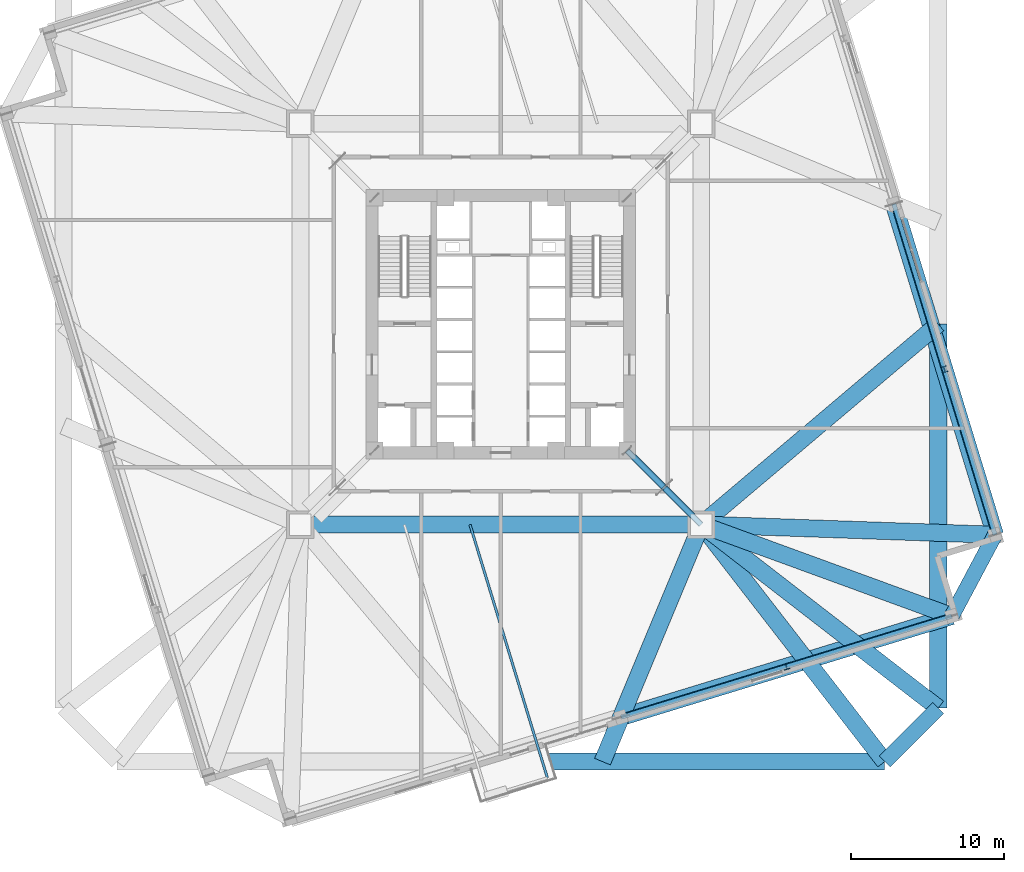
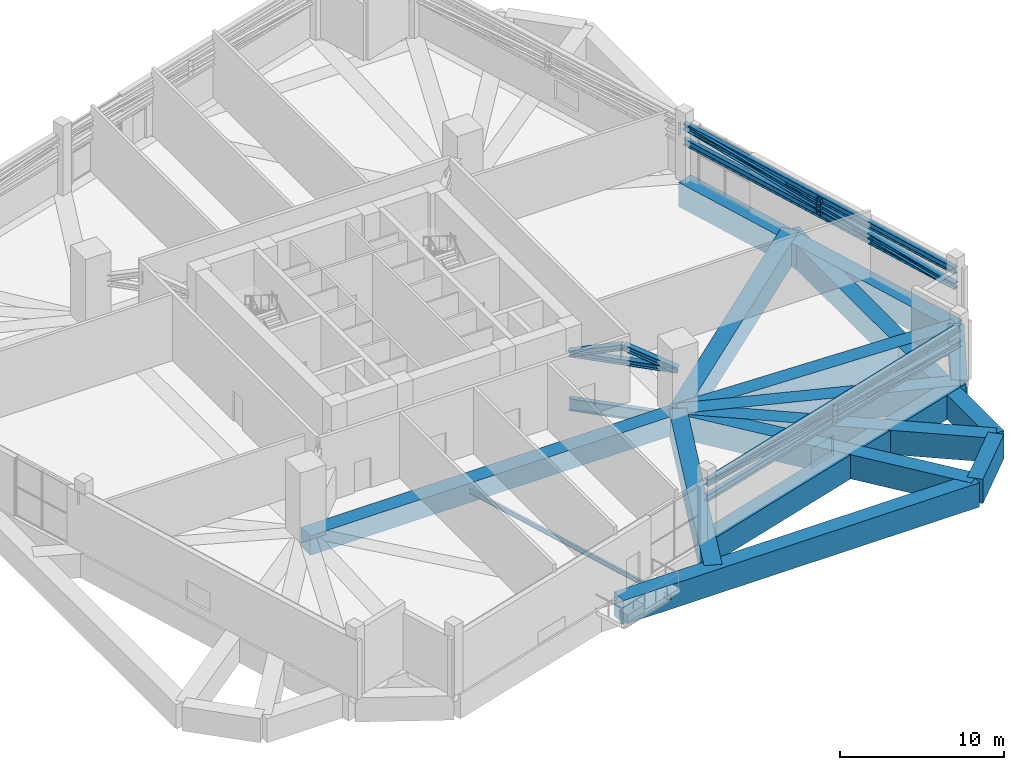
# One storey, part 6 of 22: 15 beams, 11 members.
"""IFC4 building model written with IfcOpenShell, lengths in metres."""

from ifc_helpers import new_model, si_unit, direction, frame, origin, origin_2d, place, context, subcontext, project, spatial, rectangle, i_section, extrude, source, transform, mapped, material, material_profile, profile_set, type_object, element, save


model = new_model("IFC4")

# Units and contexts
model_context = context("Model", 3, precision=1e-05, world=origin(), true_north=direction((0.0, 1.0)))
body_context = subcontext(model_context, "Body", "Model", "MODEL_VIEW")
ifc_project = project(units=[si_unit("LENGTHUNIT", "METRE"), si_unit("AREAUNIT", "SQUARE_METRE"), si_unit("VOLUMEUNIT", "CUBIC_METRE"), si_unit("PLANEANGLEUNIT", "RADIAN"), si_unit("MASSUNIT", "GRAM", prefix="KILO"), si_unit("THERMODYNAMICTEMPERATUREUNIT", "KELVIN")], contexts=[model_context])

# Site, building, storey
site_placement = place(None, origin())
site = spatial("IfcSite", under=ifc_project, at=site_placement, CompositionType="ELEMENT")
building_placement = place(site_placement, origin())
building = spatial("IfcBuilding", under=site, at=building_placement, Name="Kosmvard Interchange Tower", CompositionType="ELEMENT")
storey_placement = place(building_placement, frame((0.0, 0.0, 78.0)))
storey = spatial("IfcBuildingStorey", under=building, at=storey_placement, Name="L18", CompositionType="ELEMENT", Elevation=78.0)

# Beams
ifc_material_1 = material(Name="Steel S460", Category="steel")
ifc_material_profile_1 = material_profile(ifc_material_1, i_section(OverallWidth=0.30810546875, OverallDepth=0.909912109375, WebThickness=0.02099609375, FlangeThickness=0.0400390625, FilletRadius=0.027099609375, at=origin_2d()), Name="HEM 900")
ifc_profile_set_1 = profile_set([ifc_material_profile_1], Name="Steel S460")
beam_type_1 = type_object("IfcBeamType", Name="Primary Mega-Frame Girder HEM 900 S460", PredefinedType="BEAM", material=ifc_profile_set_1)
shared_shape_1 = source(origin(), body_context, "Body", "SweptSolid", [
    extrude(i_section(OverallWidth=0.30810546875, OverallDepth=0.909912109375, WebThickness=0.02099609375, FlangeThickness=0.0400390625, FilletRadius=0.027099609375, at=origin_2d()), origin(), (0.0, 0.0, 1.0), 6.83203125),
])
beam_1_placement = place(storey_placement, frame((8.25, -8.25, -0.85498046875), z_axis=(0.707106781187, -0.707106781187, 0.0), x_axis=(0.707106781187, 0.707106781187, 0.0)))
element("IfcBeam", 1, at=beam_1_placement, inside=storey, type_object=beam_type_1, Name="L18 Radial Mega-Frame Girder 2", PredefinedType="BEAM", context=body_context, shape_type="MappedRepresentation", body=[
    mapped(shared_shape_1, transform((0.0, 0.0, 0.0), scale=1.0)),
])
ifc_material_2 = material(Name="Concrete C70/85", Category="concrete")
ifc_material_profile_2 = material_profile(ifc_material_2, rectangle(XDim=1.10009765625, YDim=1.43994140625, at=origin_2d()), Name="TG 1100x1440")
ifc_profile_set_2 = profile_set([ifc_material_profile_2], Name="Concrete C70/85")
beam_type_2 = type_object("IfcBeamType", Name="Mega-Frame Transfer Ring Girder 1100x1440 C70/85", PredefinedType="USERDEFINED", material=ifc_profile_set_2)
shared_shape_2 = source(origin(), body_context, "Body", "SweptSolid", [
    extrude(rectangle(XDim=1.10009765625, YDim=1.43994140625, at=origin_2d()), origin(), (0.0, 0.0, 1.0), 26.162109375),
])
beam_2_placement = place(storey_placement, frame((-13.0810546875, -13.0810546875, -0.719970703125), z_axis=(1.0, 0.0, 0.0), x_axis=(0.0, 1.0, 0.0)))
element("IfcBeam", 2, at=beam_2_placement, inside=storey, type_object=beam_type_2, Name="L18 Mega-Column Ring Girder 1", ObjectType="TRANSFER_GIRDER", PredefinedType="USERDEFINED", context=body_context, shape_type="MappedRepresentation", body=[
    mapped(shared_shape_2, transform((0.0, 0.0, 0.0), scale=1.0)),
])
ifc_material_3 = material(Name="Concrete C60/75", Category="concrete")
ifc_material_profile_3 = material_profile(ifc_material_3, rectangle(XDim=1.1201171875, YDim=1.800048828125, at=origin_2d()), Name="TG 1120x1800")
ifc_profile_set_3 = profile_set([ifc_material_profile_3], Name="Concrete C60/75")
beam_type_3 = type_object("IfcBeamType", Name="Zone Long-Span Transfer Girder 1120x1800 C60/75", PredefinedType="USERDEFINED", material=ifc_profile_set_3)
shared_shape_3 = source(origin(), body_context, "Body", "SweptSolid", [
    extrude(rectangle(XDim=1.1201171875, YDim=1.800048828125, at=origin_2d()), origin(), (0.0, 0.0, 1.0), 25.050048828125),
])
for number, where, z_axis, x_axis, name in (
    (3, (0.0, -28.550048828125, -0.89990234375), (1.0, 0.0, 0.0), (0.0, 1.0, 0.0), "BM-L18-LR02"),
    (4, (28.550048828125, -25.050048828125, -0.89990234375), (0.0, 1.0, 0.0), (-1.0, 0.0, 0.0), "BM-L18-LR04"),
):
    element("IfcBeam", number, at=place(storey_placement, frame(where, z_axis=z_axis, x_axis=x_axis)), inside=storey, type_object=beam_type_3, Name=name, ObjectType="TRANSFER_GIRDER", PredefinedType="USERDEFINED", context=body_context, shape_type="MappedRepresentation", body=[
        mapped(shared_shape_3, transform((0.0, 0.0, 0.0), scale=1.0)),
    ])
shared_shape_4 = source(origin(), body_context, "Body", "SweptSolid", [
    extrude(rectangle(XDim=1.1201171875, YDim=1.800048828125, at=origin_2d()), origin(), (0.0, 0.0, 1.0), 19.558837890625),
])
for number, where, z_axis, x_axis, name in (
    (5, (13.0810546875, -13.0810546875, -0.89990234375), (0.611949354357, -0.79089695138, 0.0), (0.79089695138, 0.611949354357, 0.0), "BM-L18-LD03"),
    (6, (13.0810546875, -13.0810546875, -0.89990234375), (0.79089695138, -0.611949354357, 0.0), (0.611949354357, 0.79089695138, 0.0), "BM-L18-LD04"),
):
    element("IfcBeam", number, at=place(storey_placement, frame(where, z_axis=z_axis, x_axis=x_axis)), inside=storey, type_object=beam_type_3, Name=name, ObjectType="TRANSFER_GIRDER", PredefinedType="USERDEFINED", context=body_context, shape_type="MappedRepresentation", body=[
        mapped(shared_shape_4, transform((0.0, 0.0, 0.0), scale=1.0)),
    ])
shared_shape_5 = source(origin(), body_context, "Body", "SweptSolid", [
    extrude(rectangle(XDim=1.1201171875, YDim=1.800048828125, at=origin_2d()), origin(), (0.0, 0.0, 1.0), 20.258544921875),
])
beam_3_placement = place(storey_placement, frame((13.0810546875, -13.0810546875, -0.89990234375), z_axis=(0.763583268056, 0.645709371734, 0.0), x_axis=(-0.645709371734, 0.763583268056, 0.0)))
element("IfcBeam", 7, at=beam_3_placement, inside=storey, type_object=beam_type_3, Name="BM-L18-LD05", ObjectType="TRANSFER_GIRDER", PredefinedType="USERDEFINED", context=body_context, shape_type="MappedRepresentation", body=[
    mapped(shared_shape_5, transform((0.0, 0.0, 0.0), scale=1.0)),
])
ifc_material_profile_4 = material_profile(ifc_material_3, rectangle(XDim=1.0, YDim=1.800048828125, at=origin_2d()), Name="TG 1000x1800")
ifc_profile_set_4 = profile_set([ifc_material_profile_4], Name="Concrete C60/75")
beam_type_4 = type_object("IfcBeamType", Name="Zone Transfer Ring Girder 1000x1800 C60/75", PredefinedType="USERDEFINED", material=ifc_profile_set_4)
shared_shape_6 = source(origin(), body_context, "Body", "SweptSolid", [
    extrude(rectangle(XDim=1.0, YDim=1.800048828125, at=origin_2d()), origin(), (0.0, 0.0, 1.0), 4.94970703125),
])
beam_4_placement = place(storey_placement, frame((25.050048828125, -28.550048828125, -0.89990234375), z_axis=(0.707106781187, 0.707106781187, 0.0), x_axis=(-0.707106781187, 0.707106781187, 0.0)))
element("IfcBeam", 8, at=beam_4_placement, inside=storey, type_object=beam_type_4, Name="BM-L18-LR03", ObjectType="TRANSFER_GIRDER", PredefinedType="USERDEFINED", context=body_context, shape_type="MappedRepresentation", body=[
    mapped(shared_shape_6, transform((0.0, 0.0, 0.0), scale=1.0)),
])
shared_shape_7 = source(origin(), body_context, "Body", "SweptSolid", [
    extrude(rectangle(XDim=1.1201171875, YDim=1.800048828125, at=origin_2d()), origin(), (0.0, 0.0, 1.0), 19.18359375),
])
beam_5_placement = place(storey_placement, frame((13.0810546875, -13.0810546875, -0.89990234375), z_axis=(0.999399801397, -0.034641549738, 0.0), x_axis=(0.034641549738, 0.999399801397, 0.0)))
element("IfcBeam", 9, at=beam_5_placement, inside=storey, type_object=beam_type_3, Name="BM-L18-RD04", ObjectType="TRANSFER_GIRDER", PredefinedType="USERDEFINED", context=body_context, shape_type="MappedRepresentation", body=[
    mapped(shared_shape_7, transform((0.0, 0.0, 0.0), scale=1.0)),
])
shared_shape_8 = source(origin(), body_context, "Body", "SweptSolid", [
    extrude(rectangle(XDim=1.1201171875, YDim=1.800048828125, at=origin_2d()), origin(), (0.0, 0.0, 1.0), 22.57470703125),
])
beam_6_placement = place(storey_placement, frame((32.253173828125, -13.74560546875, -0.89990234375), z_axis=(-0.292376241995, 0.956303368768, 0.0), x_axis=(-0.956303368768, -0.292376241995, 0.0)))
element("IfcBeam", 10, at=beam_6_placement, inside=storey, type_object=beam_type_3, Name="BM-L18-PR04", ObjectType="TRANSFER_GIRDER", PredefinedType="USERDEFINED", context=body_context, shape_type="MappedRepresentation", body=[
    mapped(shared_shape_8, transform((0.0, 0.0, 0.0), scale=1.0)),
])
shared_shape_9 = source(origin(), body_context, "Body", "SweptSolid", [
    extrude(rectangle(XDim=1.1201171875, YDim=1.800048828125, at=origin_2d()), origin(), (0.0, 0.0, 1.0), 16.758056640625),
])
beam_7_placement = place(storey_placement, frame((13.0810546875, -13.0810546875, -0.89990234375), z_axis=(-0.384610212336, -0.923079078176, 0.0), x_axis=(0.923079078176, -0.384610212336, 0.0)))
element("IfcBeam", 11, at=beam_7_placement, inside=storey, type_object=beam_type_3, Name="BM-L18-RD02", ObjectType="TRANSFER_GIRDER", PredefinedType="USERDEFINED", context=body_context, shape_type="MappedRepresentation", body=[
    mapped(shared_shape_9, transform((0.0, 0.0, 0.0), scale=1.0)),
])
shared_shape_10 = source(origin(), body_context, "Body", "SweptSolid", [
    extrude(rectangle(XDim=1.1201171875, YDim=1.800048828125, at=origin_2d()), origin(), (0.0, 0.0, 1.0), 22.574951171875),
])
beam_8_placement = place(storey_placement, frame((7.8427734375, -25.65283203125, -0.89990234375), z_axis=(0.956304293239, 0.292373218222, 0.0), x_axis=(-0.292373218222, 0.956304293239, 0.0)))
element("IfcBeam", 12, at=beam_8_placement, inside=storey, type_object=beam_type_3, Name="BM-L18-PR02", ObjectType="TRANSFER_GIRDER", PredefinedType="USERDEFINED", context=body_context, shape_type="MappedRepresentation", body=[
    mapped(shared_shape_10, transform((0.0, 0.0, 0.0), scale=1.0)),
])
shared_shape_11 = source(origin(), body_context, "Body", "SweptSolid", [
    extrude(rectangle(XDim=1.1201171875, YDim=1.800048828125, at=origin_2d()), origin(), (0.0, 0.0, 1.0), 17.40673828125),
])
beam_9_placement = place(storey_placement, frame((13.0810546875, -13.0810546875, -0.89990234375), z_axis=(0.939315429031, -0.343054696491, 0.0), x_axis=(0.343054696491, 0.939315429031, 0.0)))
element("IfcBeam", 13, at=beam_9_placement, inside=storey, type_object=beam_type_3, Name="BM-L18-RD03", ObjectType="TRANSFER_GIRDER", PredefinedType="USERDEFINED", context=body_context, shape_type="MappedRepresentation", body=[
    mapped(shared_shape_11, transform((0.0, 0.0, 0.0), scale=1.0)),
])
shared_shape_12 = source(origin(), body_context, "Body", "SweptSolid", [
    extrude(rectangle(XDim=1.0, YDim=1.800048828125, at=origin_2d()), origin(), (0.0, 0.0, 1.0), 6.010498046875),
])
beam_10_placement = place(storey_placement, frame((29.431396484375, -19.052490234375, -0.89990234375), z_axis=(0.469478912111, 0.882943685114, 0.0), x_axis=(-0.882943685114, 0.469478912111, 0.0)))
element("IfcBeam", 14, at=beam_10_placement, inside=storey, type_object=beam_type_4, Name="BM-L18-PR03", ObjectType="TRANSFER_GIRDER", PredefinedType="USERDEFINED", context=body_context, shape_type="MappedRepresentation", body=[
    mapped(shared_shape_12, transform((0.0, 0.0, 0.0), scale=1.0)),
])
ifc_material_4 = material(Name="Steel S355", Category="steel")
ifc_material_profile_5 = material_profile(ifc_material_4, i_section(OverallWidth=0.159912109375, OverallDepth=0.330078125, WebThickness=0.007568359375, FlangeThickness=0.011474609375, FilletRadius=0.01806640625, at=origin_2d()), Name="IPE 330")
ifc_profile_set_5 = profile_set([ifc_material_profile_5], Name="Steel S355")
beam_type_5 = type_object("IfcBeamType", Name="Balcony Cantilever Joist IPE 330 S355", PredefinedType="JOIST", material=ifc_profile_set_5)
shared_shape_13 = source(origin(), body_context, "Body", "SweptSolid", [
    extrude(i_section(OverallWidth=0.159912109375, OverallDepth=0.330078125, WebThickness=0.007568359375, FlangeThickness=0.011474609375, FilletRadius=0.01806640625, at=origin_2d()), origin(), (0.0, 0.0, 1.0), 17.279296875),
])
beam_11_placement = place(storey_placement, frame((-2.013427734375, -13.0810546875, -0.56494140625), z_axis=(0.292374680345, -0.956303846219, 0.0), x_axis=(0.956303846219, 0.292374680345, 0.0)))
element("IfcBeam", 15, at=beam_11_placement, inside=storey, type_object=beam_type_5, Name="BM-L18-BJB2", PredefinedType="JOIST", context=body_context, shape_type="MappedRepresentation", body=[
    mapped(shared_shape_13, transform((0.0, 0.0, 0.0), scale=1.0)),
])

# Members
ifc_material_profile_6 = material_profile(ifc_material_1, i_section(OverallWidth=0.40087890625, OverallDepth=0.39892578125, WebThickness=0.0185546875, FlangeThickness=0.028076171875, FilletRadius=0.014892578125, at=origin_2d()), Name="HD 400x314")
ifc_profile_set_6 = profile_set([ifc_material_profile_6], Name="Steel S460")
member_type_1 = type_object("IfcMemberType", Name="Outrigger Top and Bottom Chord HD 400x314 S460", PredefinedType="CHORD", material=ifc_profile_set_6)
shared_shape_14 = source(origin(), body_context, "Body", "SweptSolid", [
    extrude(i_section(OverallWidth=0.40087890625, OverallDepth=0.39892578125, WebThickness=0.0185546875, FlangeThickness=0.028076171875, FilletRadius=0.014892578125, at=origin_2d()), origin(), (0.0, 0.0, 1.0), 6.83203125),
])
member_1_placement = place(storey_placement, frame((8.25, -8.25, 2.919921875), z_axis=(0.707106781187, -0.707106781187, 0.0), x_axis=(0.707106781187, 0.707106781187, 0.0)))
element("IfcMember", 16, at=member_1_placement, inside=storey, type_object=member_type_1, Name="L18 Outrigger Bottom Chord 2", PredefinedType="CHORD", context=body_context, shape_type="MappedRepresentation", body=[
    mapped(shared_shape_14, transform((0.0, 0.0, 0.0), scale=1.0)),
])
ifc_material_profile_7 = material_profile(ifc_material_1, i_section(OverallWidth=0.408935546875, OverallDepth=0.425048828125, WebThickness=0.02392578125, FlangeThickness=0.0390625, FilletRadius=0.014892578125, at=origin_2d()), Name="HD 400x421")
ifc_profile_set_7 = profile_set([ifc_material_profile_7], Name="Steel S460")
member_type_2 = type_object("IfcMemberType", Name="Radial Outrigger Diagonal HD 400x421 S460", PredefinedType="BRACE", material=ifc_profile_set_7)
shared_shape_15 = source(origin(), body_context, "Body", "SweptSolid", [
    extrude(i_section(OverallWidth=0.408935546875, OverallDepth=0.425048828125, WebThickness=0.02392578125, FlangeThickness=0.0390625, FilletRadius=0.014892578125, at=origin_2d()), origin(), (0.0, 0.0, 1.0), 3.592041015625),
])
for number, where, z_axis, x_axis, name in (
    (17, (8.25, -8.25, 2.919921875), (0.672489341333, -0.672489341333, 0.309056906715), (0.707106781187, 0.707106781187, 0.0), "L18 Outrigger Diagonal 2A"),
    (18, (10.66552734375, -10.66552734375, 4.030029296875), (0.672489341333, -0.672489341333, -0.309056906715), (0.707106781187, 0.707106781187, 0.0), "L18 Outrigger Diagonal 2B"),
):
    element("IfcMember", number, at=place(storey_placement, frame(where, z_axis=z_axis, x_axis=x_axis)), inside=storey, type_object=member_type_2, Name=name, PredefinedType="BRACE", context=body_context, shape_type="MappedRepresentation", body=[
        mapped(shared_shape_15, transform((0.0, 0.0, 0.0), scale=1.0)),
    ])
ifc_material_profile_8 = material_profile(ifc_material_1, i_section(OverallWidth=0.300048828125, OverallDepth=0.5, WebThickness=0.014404296875, FlangeThickness=0.028076171875, FilletRadius=0.027099609375, at=origin_2d()), Name="HEB 500")
ifc_profile_set_8 = profile_set([ifc_material_profile_8], Name="Steel S460")
member_type_3 = type_object("IfcMemberType", Name="Belt Truss Chord HEB 500 S460", PredefinedType="CHORD", material=ifc_profile_set_8)
shared_shape_16 = source(origin(), body_context, "Body", "SweptSolid", [
    extrude(i_section(OverallWidth=0.300048828125, OverallDepth=0.5, WebThickness=0.014404296875, FlangeThickness=0.028076171875, FilletRadius=0.027099609375, at=origin_2d()), origin(), (0.0, 0.0, 1.0), 22.57470703125),
])
for number, where, z_axis, x_axis, name in (
    (19, (32.253173828125, -13.74560546875, 2.820068359375), (-0.292376241995, 0.956303368768, 0.0), (-0.956303368768, -0.292376241995, 0.0), "L18 Belt Truss Bottom Chord E1"),
    (20, (32.253173828125, -13.74560546875, 3.9599609375), (-0.292376241995, 0.956303368768, 0.0), (-0.956303368768, -0.292376241995, 0.0), "L18 Belt Truss Top Chord E1"),
):
    element("IfcMember", number, at=place(storey_placement, frame(where, z_axis=z_axis, x_axis=x_axis)), inside=storey, type_object=member_type_3, Name=name, PredefinedType="CHORD", context=body_context, shape_type="MappedRepresentation", body=[
        mapped(shared_shape_16, transform((0.0, 0.0, 0.0), scale=1.0)),
    ])
shared_shape_17 = source(origin(), body_context, "Body", "SweptSolid", [
    extrude(i_section(OverallWidth=0.300048828125, OverallDepth=0.5, WebThickness=0.014404296875, FlangeThickness=0.028076171875, FilletRadius=0.027099609375, at=origin_2d()), origin(), (0.0, 0.0, 1.0), 22.574951171875),
])
for number, where, z_axis, x_axis, name in (
    (21, (7.8427734375, -25.65283203125, 2.820068359375), (0.956304293239, 0.292373218222, 0.0), (-0.292373218222, 0.956304293239, 0.0), "L18 Belt Truss Bottom Chord S2"),
    (22, (7.8427734375, -25.65283203125, 3.9599609375), (0.956304293239, 0.292373218222, 0.0), (-0.292373218222, 0.956304293239, 0.0), "L18 Belt Truss Top Chord S2"),
):
    element("IfcMember", number, at=place(storey_placement, frame(where, z_axis=z_axis, x_axis=x_axis)), inside=storey, type_object=member_type_3, Name=name, PredefinedType="CHORD", context=body_context, shape_type="MappedRepresentation", body=[
        mapped(shared_shape_17, transform((0.0, 0.0, 0.0), scale=1.0)),
    ])
ifc_material_profile_9 = material_profile(ifc_material_1, i_section(OverallWidth=0.3759765625, OverallDepth=0.386962890625, WebThickness=0.01953125, FlangeThickness=0.031982421875, FilletRadius=0.014892578125, at=origin_2d()), Name="HD 360x329")
ifc_profile_set_9 = profile_set([ifc_material_profile_9], Name="Steel S460")
member_type_4 = type_object("IfcMemberType", Name="Belt Truss Vertical Post HD 360x329 S460", PredefinedType="STUD", material=ifc_profile_set_9)
shared_shape_18 = source(origin(), body_context, "Body", "SweptSolid", [
    extrude(i_section(OverallWidth=0.3759765625, OverallDepth=0.386962890625, WebThickness=0.01953125, FlangeThickness=0.031982421875, FilletRadius=0.014892578125, at=origin_2d()), origin(), (0.0, 0.0, 1.0), 1.139892578125),
])
for number, where, z_axis, x_axis, name in (
    (23, (18.63720703125, -22.352783203125, 2.820068359375), (0.0, 0.0, 1.0), (0.956304755963, 0.292371704723, 0.0), "L18 Belt Truss Post S2"),
    (24, (28.953125, -2.951416015625, 2.820068359375), (0.0, 0.0, 1.0), (0.956304755963, 0.292371704723, 0.0), "L18 Belt Truss Post E1"),
):
    element("IfcMember", number, at=place(storey_placement, frame(where, z_axis=z_axis, x_axis=x_axis)), inside=storey, type_object=member_type_4, Name=name, PredefinedType="STUD", context=body_context, shape_type="MappedRepresentation", body=[
        mapped(shared_shape_18, transform((0.0, 0.0, 0.0), scale=1.0)),
    ])
ifc_material_profile_10 = material_profile(ifc_material_1, i_section(OverallWidth=0.406005859375, OverallDepth=0.416015625, WebThickness=0.021484375, FlangeThickness=0.034912109375, FilletRadius=0.014892578125, at=origin_2d()), Name="HD 400x382")
ifc_profile_set_10 = profile_set([ifc_material_profile_10], Name="Steel S460")
member_type_5 = type_object("IfcMemberType", Name="Perimeter Belt Truss Diagonal HD 400x382 S460", PredefinedType="BRACE", material=ifc_profile_set_10)
shared_shape_19 = source(origin(), body_context, "Body", "SweptSolid", [
    extrude(i_section(OverallWidth=0.406005859375, OverallDepth=0.416015625, WebThickness=0.021484375, FlangeThickness=0.034912109375, FilletRadius=0.014892578125, at=origin_2d()), origin(), (0.0, 0.0, 1.0), 22.603515625),
])
member_2_placement = place(storey_placement, frame((32.253173828125, -13.74560546875, 2.820068359375), z_axis=(-0.29200422589, 0.955086579567, 0.050429729265), x_axis=(-0.956303368768, -0.292376241995, 0.0)))
element("IfcMember", 25, at=member_2_placement, inside=storey, type_object=member_type_5, Name="L18 Belt Truss Diagonal E1", PredefinedType="BRACE", context=body_context, shape_type="MappedRepresentation", body=[
    mapped(shared_shape_19, transform((0.0, 0.0, 0.0), scale=1.0)),
])
shared_shape_20 = source(origin(), body_context, "Body", "SweptSolid", [
    extrude(i_section(OverallWidth=0.406005859375, OverallDepth=0.416015625, WebThickness=0.021484375, FlangeThickness=0.034912109375, FilletRadius=0.014892578125, at=origin_2d()), origin(), (0.0, 0.0, 1.0), 22.603759765625),
])
member_3_placement = place(storey_placement, frame((29.431396484375, -19.052490234375, 2.820068359375), z_axis=(-0.955087527981, -0.292001213645, 0.050429209044), x_axis=(0.292373218222, -0.956304293239, 0.0)))
element("IfcMember", 26, at=member_3_placement, inside=storey, type_object=member_type_5, Name="L18 Belt Truss Diagonal S2", PredefinedType="BRACE", context=body_context, shape_type="MappedRepresentation", body=[
    mapped(shared_shape_20, transform((0.0, 0.0, 0.0), scale=1.0)),
])

save(model, "model.ifc")
